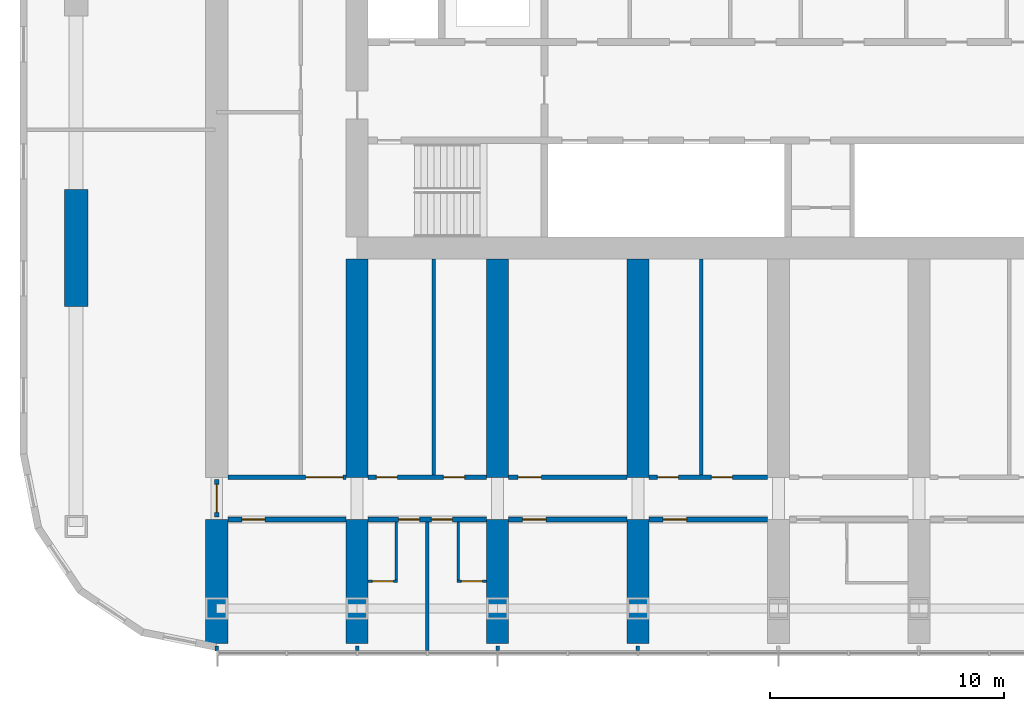
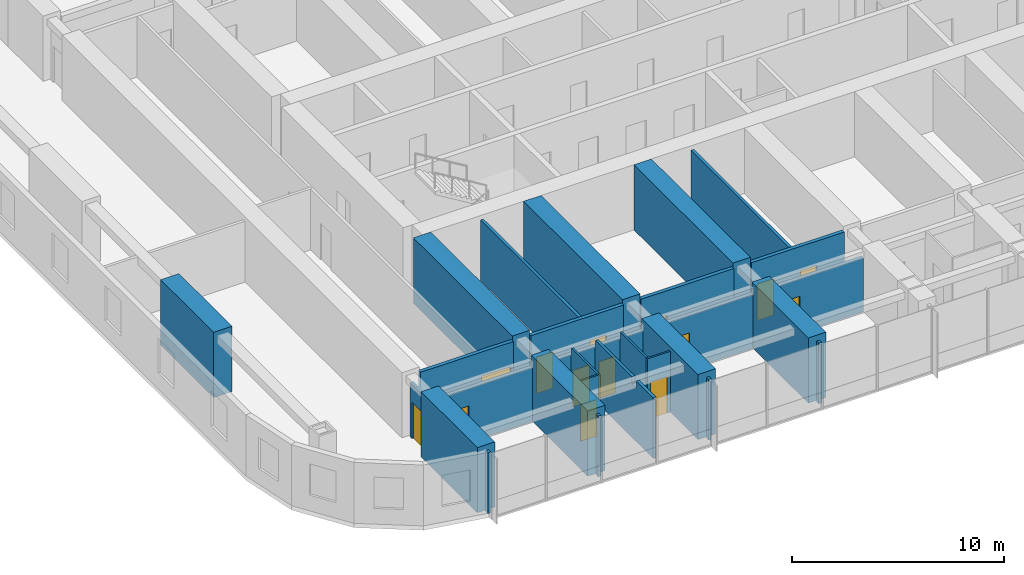
# One storey, part 8 of 21: 28 walls, 14 doors, 14 openings.
"""IFC4 building model written with IfcOpenShell, lengths in metres."""

from ifc_helpers import new_model, si_unit, direction, frame, frame_2d, origin, place, context, subcontext, project, spatial, polyline, rectangle, outline, extrude, material, layer, layer_set, type_object, element, fill, save


model = new_model("IFC4")

# Units and contexts
model_context = context("Model", 3, precision=1e-05, world=origin(), true_north=direction((0.0, 1.0)))
body_context = subcontext(model_context, "Body", "Model", "MODEL_VIEW")
ifc_project = project(units=[si_unit("LENGTHUNIT", "METRE"), si_unit("AREAUNIT", "SQUARE_METRE"), si_unit("VOLUMEUNIT", "CUBIC_METRE"), si_unit("PLANEANGLEUNIT", "RADIAN"), si_unit("MASSUNIT", "GRAM", prefix="KILO")], contexts=[model_context])

# Site, building, storey
site_placement = place(None, origin())
site = spatial("IfcSite", under=ifc_project, at=site_placement, CompositionType="ELEMENT")
building_placement = place(site_placement, origin())
building = spatial("IfcBuilding", under=site, at=building_placement, Name="Orbita Commons", CompositionType="ELEMENT")
storey_placement = place(building_placement, frame((0.0, 0.0, 125.64990234375)))
storey = spatial("IfcBuildingStorey", under=building, at=storey_placement, Name="L31", CompositionType="ELEMENT", Elevation=125.64990234375)

# Wall, opening, door
ifc_material_1 = material(Name="Concrete blockwork", Category="masonry")
ifc_layer_1 = layer(ifc_material_1, 0.199951171875)
ifc_layer_set_1 = layer_set([ifc_layer_1], Name="Concrete blockwork")
wall_type_1 = type_object("IfcWallType", Name="Corridor wall 200 blockwork", PredefinedType="SOLIDWALL", material=ifc_layer_set_1)
wall_1_placement = place(storey_placement, frame((12.47509765625, 14.199951171875, 0.0), z_axis=(0.0, 0.0, 1.0), x_axis=(1.0, 0.0, 0.0)))
wall_1 = element("IfcWall", 1, at=wall_1_placement, inside=storey, type_object=wall_type_1, Name="Corridor wall 200 blockwork L31", PredefinedType="SOLIDWALL", context=body_context, shape_type="SweptSolid", body=[
    extrude(outline(polyline([(0.0, 0.0), (5.0498046875, 0.0), (5.050048828125, 3.10009765625), (0.0, 3.10009765625), (0.0, 0.0)])), frame((0.0, 0.10009765625, 0.0), z_axis=(0.0, -1.0, 0.0), x_axis=(1.0, 0.0, 0.0)), (0.0, 0.0, 1.0), 0.199951171875),
])
opening_1_placement = place(wall_1_placement, frame((0.60009765625, 0.0, 0.0)))
opening_1 = element("IfcOpeningElement", 2, at=opening_1_placement, cuts=wall_1, Name="Opening D06", PredefinedType="OPENING", context=body_context, shape_type="SweptSolid", body=[
    extrude(rectangle(XDim=1.0, YDim=2.10009765625, at=frame_2d((0.5, 1.050048828125))), frame((0.0, 0.10986328125, 0.0), z_axis=(0.0, -1.0, 0.0), x_axis=(1.0, 0.0, 0.0)), (0.0, 0.0, 1.0), 0.219970703125),
])
ifc_material_2 = material(Name="Steel-faced fire door leaf", Category="steel")
door_type_1 = type_object("IfcDoorType", Name="Corridor door 20 min 1000x2100", OperationType="SINGLE_SWING_LEFT", PredefinedType="DOOR", material=ifc_material_2)
door_1_placement = place(opening_1_placement, origin())
door_1 = element("IfcDoor", 3, at=door_1_placement, inside=storey, type_object=door_type_1, Name="Mountain-view lounge L31-S00 door", OperationType="SINGLE_SWING_LEFT", OverallHeight=2.10009765625, OverallWidth=1.0, PredefinedType="DOOR", context=body_context, shape_type="SweptSolid", body=[
    extrude(rectangle(XDim=1.0, YDim=2.10009765625, at=frame_2d((0.5, 1.050048828125))), frame((0.0, 0.02490234375, 0.0), z_axis=(0.0, -1.0, 0.0), x_axis=(1.0, 0.0, 0.0)), (0.0, 0.0, 1.0), 0.050048828125),
])
fill(opening_1, door_1)

# Wall, openings, doors
wall_2_placement = place(storey_placement, frame((18.47509765625, 14.199951171875, 0.0), z_axis=(0.0, 0.0, 1.0), x_axis=(1.0, 0.0, 0.0)))
wall_2 = element("IfcWall", 4, at=wall_2_placement, inside=storey, type_object=wall_type_1, Name="Corridor wall 200 blockwork L31", PredefinedType="SOLIDWALL", context=body_context, shape_type="SweptSolid", body=[
    extrude(outline(polyline([(0.0, 0.0), (5.0498046875, 0.0), (5.050048828125, 3.10009765625), (0.0, 3.10009765625), (0.0, 0.0)])), frame((0.0, 0.10009765625, 0.0), z_axis=(0.0, -1.0, 0.0), x_axis=(1.0, 0.0, 0.0)), (0.0, 0.0, 1.0), 0.199951171875),
])
opening_2_placement = place(wall_2_placement, frame((1.300048828125, 0.0, 0.0)))
opening_2 = element("IfcOpeningElement", 5, at=opening_2_placement, cuts=wall_2, Name="Opening D11", PredefinedType="OPENING", context=body_context, shape_type="SweptSolid", body=[
    extrude(rectangle(XDim=0.89990234375, YDim=2.10009765625, at=frame_2d((0.449951171875, 1.050048828125))), frame((0.0, 0.10986328125, 0.0), z_axis=(0.0, -1.0, 0.0), x_axis=(1.0, 0.0, 0.0)), (0.0, 0.0, 1.0), 0.219970703125),
])
opening_3_placement = place(wall_2_placement, frame((2.699951171875, 0.0, 0.0)))
opening_3 = element("IfcOpeningElement", 6, at=opening_3_placement, cuts=wall_2, Name="Opening D11", PredefinedType="OPENING", context=body_context, shape_type="SweptSolid", body=[
    extrude(rectangle(XDim=0.89990234375, YDim=2.10009765625, at=frame_2d((0.449951171875, 1.050048828125))), frame((0.0, 0.10986328125, 0.0), z_axis=(0.0, -1.0, 0.0), x_axis=(1.0, 0.0, 0.0)), (0.0, 0.0, 1.0), 0.219970703125),
])
ifc_material_3 = material(Name="Steel-faced fire door leaf", Category="steel")
door_type_2 = type_object("IfcDoorType", Name="Corridor door 20 min 900x2100", OperationType="SINGLE_SWING_LEFT", PredefinedType="DOOR", material=ifc_material_3)
door_2_placement = place(opening_2_placement, origin())
door_2 = element("IfcDoor", 7, at=door_2_placement, inside=storey, type_object=door_type_2, Name="Cluster bedroom L31-S02 door", OperationType="SINGLE_SWING_LEFT", OverallHeight=2.10009765625, OverallWidth=0.89990234375, PredefinedType="DOOR", context=body_context, shape_type="SweptSolid", body=[
    extrude(rectangle(XDim=0.89990234375, YDim=2.10009765625, at=frame_2d((0.449951171875, 1.050048828125))), frame((0.0, 0.02490234375, 0.0), z_axis=(0.0, -1.0, 0.0), x_axis=(1.0, 0.0, 0.0)), (0.0, 0.0, 1.0), 0.050048828125),
])
fill(opening_2, door_2)
door_3_placement = place(opening_3_placement, origin())
door_3 = element("IfcDoor", 8, at=door_3_placement, inside=storey, type_object=door_type_2, Name="Cluster bedroom L31-S03 door", OperationType="SINGLE_SWING_LEFT", OverallHeight=2.10009765625, OverallWidth=0.89990234375, PredefinedType="DOOR", context=body_context, shape_type="SweptSolid", body=[
    extrude(rectangle(XDim=0.89990234375, YDim=2.10009765625, at=frame_2d((0.449951171875, 1.050048828125))), frame((0.0, 0.02490234375, 0.0), z_axis=(0.0, -1.0, 0.0), x_axis=(1.0, 0.0, 0.0)), (0.0, 0.0, 1.0), 0.050048828125),
])
fill(opening_3, door_3)

# Wall, opening, door
wall_3_placement = place(storey_placement, frame((24.47509765625, 14.199951171875, 0.0), z_axis=(0.0, 0.0, 1.0), x_axis=(1.0, 0.0, 0.0)))
wall_3 = element("IfcWall", 9, at=wall_3_placement, inside=storey, type_object=wall_type_1, Name="Corridor wall 200 blockwork L31", PredefinedType="SOLIDWALL", context=body_context, shape_type="SweptSolid", body=[
    extrude(outline(polyline([(0.0, 0.0), (5.0498046875, 0.0), (5.050048828125, 3.10009765625), (0.0, 3.10009765625), (0.0, 0.0)])), frame((0.0, 0.10009765625, 0.0), z_axis=(0.0, -1.0, 0.0), x_axis=(1.0, 0.0, 0.0)), (0.0, 0.0, 1.0), 0.199951171875),
])
opening_4_placement = place(wall_3_placement, frame((0.60009765625, 0.0, 0.0)))
opening_4 = element("IfcOpeningElement", 10, at=opening_4_placement, cuts=wall_3, Name="Opening D06", PredefinedType="OPENING", context=body_context, shape_type="SweptSolid", body=[
    extrude(rectangle(XDim=1.0, YDim=2.10009765625, at=frame_2d((0.5, 1.050048828125))), frame((0.0, 0.10986328125, 0.0), z_axis=(0.0, -1.0, 0.0), x_axis=(1.0, 0.0, 0.0)), (0.0, 0.0, 1.0), 0.219970703125),
])
door_4_placement = place(opening_4_placement, origin())
door_4 = element("IfcDoor", 11, at=door_4_placement, inside=storey, type_object=door_type_1, Name="Mountain-view lounge L31-S04 door", OperationType="SINGLE_SWING_LEFT", OverallHeight=2.10009765625, OverallWidth=1.0, PredefinedType="DOOR", context=body_context, shape_type="SweptSolid", body=[
    extrude(rectangle(XDim=1.0, YDim=2.10009765625, at=frame_2d((0.5, 1.050048828125))), frame((0.0, 0.02490234375, 0.0), z_axis=(0.0, -1.0, 0.0), x_axis=(1.0, 0.0, 0.0)), (0.0, 0.0, 1.0), 0.050048828125),
])
fill(opening_4, door_4)

wall_4_placement = place(storey_placement, frame((30.47509765625, 14.199951171875, 0.0), z_axis=(0.0, 0.0, 1.0), x_axis=(1.0, 0.0, 0.0)))
wall_4 = element("IfcWall", 12, at=wall_4_placement, inside=storey, type_object=wall_type_1, Name="Corridor wall 200 blockwork L31", PredefinedType="SOLIDWALL", context=body_context, shape_type="SweptSolid", body=[
    extrude(outline(polyline([(0.0, 0.0), (5.0498046875, 0.0), (5.050048828125, 3.10009765625), (0.0, 3.10009765625), (0.0, 0.0)])), frame((0.0, 0.10009765625, 0.0), z_axis=(0.0, -1.0, 0.0), x_axis=(1.0, 0.0, 0.0)), (0.0, 0.0, 1.0), 0.199951171875),
])
opening_5_placement = place(wall_4_placement, frame((0.60009765625, 0.0, 0.0)))
opening_5 = element("IfcOpeningElement", 13, at=opening_5_placement, cuts=wall_4, Name="Opening D06", PredefinedType="OPENING", context=body_context, shape_type="SweptSolid", body=[
    extrude(rectangle(XDim=1.0, YDim=2.10009765625, at=frame_2d((0.5, 1.050048828125))), frame((0.0, 0.10986328125, 0.0), z_axis=(0.0, -1.0, 0.0), x_axis=(1.0, 0.0, 0.0)), (0.0, 0.0, 1.0), 0.219970703125),
])
door_5_placement = place(opening_5_placement, origin())
door_5 = element("IfcDoor", 14, at=door_5_placement, inside=storey, type_object=door_type_1, Name="Mountain-view lounge L31-S06 door", OperationType="SINGLE_SWING_LEFT", OverallHeight=2.10009765625, OverallWidth=1.0, PredefinedType="DOOR", context=body_context, shape_type="SweptSolid", body=[
    extrude(rectangle(XDim=1.0, YDim=2.10009765625, at=frame_2d((0.5, 1.050048828125))), frame((0.0, 0.02490234375, 0.0), z_axis=(0.0, -1.0, 0.0), x_axis=(1.0, 0.0, 0.0)), (0.0, 0.0, 1.0), 0.050048828125),
])
fill(opening_5, door_5)

wall_5_placement = place(storey_placement, frame((12.0, 14.300048828125, 0.0), z_axis=(0.0, 0.0, 1.0), x_axis=(0.0, 1.0, 0.0)))
wall_5 = element("IfcWall", 15, at=wall_5_placement, inside=storey, type_object=wall_type_1, Name="Corridor wall 200 blockwork L31", PredefinedType="SOLIDWALL", context=body_context, shape_type="SweptSolid", body=[
    extrude(outline(polyline([(0.0, 0.0), (1.599853515625, 0.0), (1.60009765625, 3.10009765625), (0.0, 3.10009765625), (0.0, 0.0)])), frame((0.0, 0.10009765625, 0.0), z_axis=(0.0, -1.0, 0.0), x_axis=(1.0, 0.0, 0.0)), (0.0, 0.0, 1.0), 0.199951171875),
])
opening_6_placement = place(wall_5_placement, frame((0.199951171875, 0.0, 0.0)))
opening_6 = element("IfcOpeningElement", 16, at=opening_6_placement, cuts=wall_5, Name="Opening D12", PredefinedType="OPENING", context=body_context, shape_type="SweptSolid", body=[
    extrude(rectangle(XDim=1.199951171875, YDim=2.10009765625, at=frame_2d((0.60009765625, 1.050048828125))), frame((0.0, 0.10986328125, 0.0), z_axis=(0.0, -1.0, 0.0), x_axis=(1.0, 0.0, 0.0)), (0.0, 0.0, 1.0), 0.219970703125),
])
ifc_material_4 = material(Name="Steel-faced fire door leaf", Category="steel")
door_type_3 = type_object("IfcDoorType", Name="Double corridor door 20 min 1200x2100", OperationType="DOUBLE_DOOR_SINGLE_SWING", PredefinedType="DOOR", material=ifc_material_4)
door_6_placement = place(opening_6_placement, origin())
door_6 = element("IfcDoor", 17, at=door_6_placement, inside=storey, type_object=door_type_3, Name="Lounge doors", OperationType="DOUBLE_DOOR_SINGLE_SWING", OverallHeight=2.10009765625, OverallWidth=1.199951171875, PredefinedType="DOOR", context=body_context, shape_type="SweptSolid", body=[
    extrude(rectangle(XDim=1.199951171875, YDim=2.10009765625, at=frame_2d((0.60009765625, 1.050048828125))), frame((0.0, 0.02490234375, 0.0), z_axis=(0.0, -1.0, 0.0), x_axis=(1.0, 0.0, 0.0)), (0.0, 0.0, 1.0), 0.050048828125),
])
fill(opening_6, door_6)

ifc_material_5 = material(Name="Hollow concrete block 200", Category="concrete")
ifc_layer_2 = layer(ifc_material_5, 0.199951171875)
ifc_layer_set_2 = layer_set([ifc_layer_2], Name="Hollow concrete block 200")
wall_type_2 = type_object("IfcWallType", Name="Corridor wall 200 hollow concrete block", PredefinedType="SOLIDWALL", material=ifc_layer_set_2)
wall_6_placement = place(storey_placement, frame((12.47509765625, 16.0, 0.0), z_axis=(0.0, 0.0, 1.0), x_axis=(1.0, 0.0, 0.0)))
wall_6 = element("IfcWall", 18, at=wall_6_placement, inside=storey, type_object=wall_type_2, Name="Corridor wall 200 hollow concrete block L31", PredefinedType="SOLIDWALL", context=body_context, shape_type="SweptSolid", body=[
    extrude(rectangle(XDim=5.0498046875, YDim=0.199951171875, at=frame_2d((2.52490234375, 0.0))), origin(), (0.0, 0.0, 1.0), 3.5),
])
opening_7_placement = place(wall_6_placement, frame((3.324951171875, 0.0, 0.0)))
opening_7 = element("IfcOpeningElement", 19, at=opening_7_placement, cuts=wall_6, Name="Opening D10", PredefinedType="OPENING", context=body_context, shape_type="SweptSolid", body=[
    extrude(rectangle(XDim=1.60009765625, YDim=2.10009765625, at=frame_2d((0.800048828125, 1.050048828125))), frame((0.0, 0.10986328125, 0.0), z_axis=(0.0, -1.0, 0.0), x_axis=(1.0, 0.0, 0.0)), (0.0, 0.0, 1.0), 0.219970703125),
])
ifc_material_6 = material(Name="Steel-faced fire door leaf", Category="steel")
door_type_4 = type_object("IfcDoorType", Name="Double corridor door 20 min 1600x2100", OperationType="DOUBLE_DOOR_SINGLE_SWING", PredefinedType="DOOR", material=ifc_material_6)
door_7_placement = place(opening_7_placement, origin())
door_7 = element("IfcDoor", 20, at=door_7_placement, inside=storey, type_object=door_type_4, Name="Cross corridor doors", OperationType="DOUBLE_DOOR_SINGLE_SWING", OverallHeight=2.10009765625, OverallWidth=1.60009765625, PredefinedType="DOOR", context=body_context, shape_type="SweptSolid", body=[
    extrude(rectangle(XDim=1.60009765625, YDim=2.10009765625, at=frame_2d((0.800048828125, 1.050048828125))), frame((0.0, 0.02490234375, 0.0), z_axis=(0.0, -1.0, 0.0), x_axis=(1.0, 0.0, 0.0)), (0.0, 0.0, 1.0), 0.050048828125),
])
fill(opening_7, door_7)

# Wall, openings, doors
wall_7_placement = place(storey_placement, frame((18.47509765625, 16.0, 0.0), z_axis=(0.0, 0.0, 1.0), x_axis=(1.0, 0.0, 0.0)))
wall_7 = element("IfcWall", 21, at=wall_7_placement, inside=storey, type_object=wall_type_2, Name="Corridor wall 200 hollow concrete block L31", PredefinedType="SOLIDWALL", context=body_context, shape_type="SweptSolid", body=[
    extrude(rectangle(XDim=5.0498046875, YDim=0.199951171875, at=frame_2d((2.52490234375, 0.0))), origin(), (0.0, 0.0, 1.0), 3.5),
])
opening_8_placement = place(wall_7_placement, frame((0.35009765625, 0.0, 0.0)))
opening_8 = element("IfcOpeningElement", 22, at=opening_8_placement, cuts=wall_7, Name="Opening D11", PredefinedType="OPENING", context=body_context, shape_type="SweptSolid", body=[
    extrude(rectangle(XDim=0.89990234375, YDim=2.10009765625, at=frame_2d((0.449951171875, 1.050048828125))), frame((0.0, 0.10986328125, 0.0), z_axis=(0.0, -1.0, 0.0), x_axis=(1.0, 0.0, 0.0)), (0.0, 0.0, 1.0), 0.219970703125),
])
opening_9_placement = place(wall_7_placement, frame((3.215087890625, 0.0, 0.0)))
opening_9 = element("IfcOpeningElement", 23, at=opening_9_placement, cuts=wall_7, Name="Opening D11", PredefinedType="OPENING", context=body_context, shape_type="SweptSolid", body=[
    extrude(rectangle(XDim=0.89990234375, YDim=2.10009765625, at=frame_2d((0.449951171875, 1.050048828125))), frame((0.0, 0.10986328125, 0.0), z_axis=(0.0, -1.0, 0.0), x_axis=(1.0, 0.0, 0.0)), (0.0, 0.0, 1.0), 0.219970703125),
])
door_8_placement = place(opening_8_placement, origin())
door_8 = element("IfcDoor", 24, at=door_8_placement, inside=storey, type_object=door_type_2, Name="Quiet room L31-BDS18 door", OperationType="SINGLE_SWING_LEFT", OverallHeight=2.10009765625, OverallWidth=0.89990234375, PredefinedType="DOOR", context=body_context, shape_type="SweptSolid", body=[
    extrude(rectangle(XDim=0.89990234375, YDim=2.10009765625, at=frame_2d((0.449951171875, 1.050048828125))), frame((0.0, 0.02490234375, 0.0), z_axis=(0.0, -1.0, 0.0), x_axis=(1.0, 0.0, 0.0)), (0.0, 0.0, 1.0), 0.050048828125),
])
fill(opening_8, door_8)
door_9_placement = place(opening_9_placement, origin())
door_9 = element("IfcDoor", 25, at=door_9_placement, inside=storey, type_object=door_type_2, Name="Accessible WC and shower room L31-BDS18n door", OperationType="SINGLE_SWING_LEFT", OverallHeight=2.10009765625, OverallWidth=0.89990234375, PredefinedType="DOOR", context=body_context, shape_type="SweptSolid", body=[
    extrude(rectangle(XDim=0.89990234375, YDim=2.10009765625, at=frame_2d((0.449951171875, 1.050048828125))), frame((0.0, 0.02490234375, 0.0), z_axis=(0.0, -1.0, 0.0), x_axis=(1.0, 0.0, 0.0)), (0.0, 0.0, 1.0), 0.050048828125),
])
fill(opening_9, door_9)

# Wall, opening, door
wall_8_placement = place(storey_placement, frame((24.47509765625, 16.0, 0.0), z_axis=(0.0, 0.0, 1.0), x_axis=(1.0, 0.0, 0.0)))
wall_8 = element("IfcWall", 26, at=wall_8_placement, inside=storey, type_object=wall_type_2, Name="Corridor wall 200 hollow concrete block L31", PredefinedType="SOLIDWALL", context=body_context, shape_type="SweptSolid", body=[
    extrude(rectangle(XDim=5.0498046875, YDim=0.199951171875, at=frame_2d((2.52490234375, 0.0))), origin(), (0.0, 0.0, 1.0), 3.5),
])
opening_10_placement = place(wall_8_placement, frame((0.39990234375, 0.0, 0.0)))
opening_10 = element("IfcOpeningElement", 27, at=opening_10_placement, cuts=wall_8, Name="Opening D06", PredefinedType="OPENING", context=body_context, shape_type="SweptSolid", body=[
    extrude(rectangle(XDim=1.0, YDim=2.10009765625, at=frame_2d((0.5, 1.050048828125))), frame((0.0, 0.10986328125, 0.0), z_axis=(0.0, -1.0, 0.0), x_axis=(1.0, 0.0, 0.0)), (0.0, 0.0, 1.0), 0.219970703125),
])
door_10_placement = place(opening_10_placement, origin())
door_10 = element("IfcDoor", 28, at=door_10_placement, inside=storey, type_object=door_type_1, Name="Storage lockers L31-BDS24 door", OperationType="SINGLE_SWING_LEFT", OverallHeight=2.10009765625, OverallWidth=1.0, PredefinedType="DOOR", context=body_context, shape_type="SweptSolid", body=[
    extrude(rectangle(XDim=1.0, YDim=2.10009765625, at=frame_2d((0.5, 1.050048828125))), frame((0.0, 0.02490234375, 0.0), z_axis=(0.0, -1.0, 0.0), x_axis=(1.0, 0.0, 0.0)), (0.0, 0.0, 1.0), 0.050048828125),
])
fill(opening_10, door_10)

# Wall, openings, doors
wall_9_placement = place(storey_placement, frame((30.47509765625, 16.0, 0.0), z_axis=(0.0, 0.0, 1.0), x_axis=(1.0, 0.0, 0.0)))
wall_9 = element("IfcWall", 29, at=wall_9_placement, inside=storey, type_object=wall_type_2, Name="Corridor wall 200 hollow concrete block L31", PredefinedType="SOLIDWALL", context=body_context, shape_type="SweptSolid", body=[
    extrude(rectangle(XDim=5.0498046875, YDim=0.199951171875, at=frame_2d((2.52490234375, 0.0))), origin(), (0.0, 0.0, 1.0), 3.5),
])
opening_11_placement = place(wall_9_placement, frame((0.35009765625, 0.0, 0.0)))
opening_11 = element("IfcOpeningElement", 30, at=opening_11_placement, cuts=wall_9, Name="Opening D11", PredefinedType="OPENING", context=body_context, shape_type="SweptSolid", body=[
    extrude(rectangle(XDim=0.89990234375, YDim=2.10009765625, at=frame_2d((0.449951171875, 1.050048828125))), frame((0.0, 0.10986328125, 0.0), z_axis=(0.0, -1.0, 0.0), x_axis=(1.0, 0.0, 0.0)), (0.0, 0.0, 1.0), 0.219970703125),
])
opening_12_placement = place(wall_9_placement, frame((2.655029296875, 0.0, 0.0)))
opening_12 = element("IfcOpeningElement", 31, at=opening_12_placement, cuts=wall_9, Name="Opening D11", PredefinedType="OPENING", context=body_context, shape_type="SweptSolid", body=[
    extrude(rectangle(XDim=0.89990234375, YDim=2.10009765625, at=frame_2d((0.449951171875, 1.050048828125))), frame((0.0, 0.10986328125, 0.0), z_axis=(0.0, -1.0, 0.0), x_axis=(1.0, 0.0, 0.0)), (0.0, 0.0, 1.0), 0.219970703125),
])
door_11_placement = place(opening_11_placement, origin())
door_11 = element("IfcDoor", 32, at=door_11_placement, inside=storey, type_object=door_type_2, Name="Sprinkler valve room L31-BDS30n door", OperationType="SINGLE_SWING_LEFT", OverallHeight=2.10009765625, OverallWidth=0.89990234375, PredefinedType="DOOR", context=body_context, shape_type="SweptSolid", body=[
    extrude(rectangle(XDim=0.89990234375, YDim=2.10009765625, at=frame_2d((0.449951171875, 1.050048828125))), frame((0.0, 0.02490234375, 0.0), z_axis=(0.0, -1.0, 0.0), x_axis=(1.0, 0.0, 0.0)), (0.0, 0.0, 1.0), 0.050048828125),
])
fill(opening_11, door_11)
door_12_placement = place(opening_12_placement, origin())
door_12 = element("IfcDoor", 33, at=door_12_placement, inside=storey, type_object=door_type_2, Name="Bicycle repair workshop L31-BDS30 door", OperationType="SINGLE_SWING_LEFT", OverallHeight=2.10009765625, OverallWidth=0.89990234375, PredefinedType="DOOR", context=body_context, shape_type="SweptSolid", body=[
    extrude(rectangle(XDim=0.89990234375, YDim=2.10009765625, at=frame_2d((0.449951171875, 1.050048828125))), frame((0.0, 0.02490234375, 0.0), z_axis=(0.0, -1.0, 0.0), x_axis=(1.0, 0.0, 0.0)), (0.0, 0.0, 1.0), 0.050048828125),
])
fill(opening_12, door_12)

# Walls
ifc_material_7 = material(Name="Concrete C50/60", Category="concrete")
ifc_layer_3 = layer(ifc_material_7, 0.949951171875)
ifc_layer_set_3 = layer_set([ifc_layer_3], Name="Concrete C50/60")
wall_type_3 = type_object("IfcWallType", Name="Cross wall 950 C50/60", PredefinedType="SHEAR", material=ifc_layer_set_3)
for number, where, z_axis, x_axis, name in (
    (34, (12.0, 8.89990234375, 0.0), (0.0, 0.0, 1.0), (0.0, 1.0, 0.0), "Cross wall 3 south outer L31"),
    (35, (18.0, 8.89990234375, 0.0), (0.0, 0.0, 1.0), (0.0, 1.0, 0.0), "Cross wall 4 south outer L31"),
):
    element("IfcWall", number, at=place(storey_placement, frame(where, z_axis=z_axis, x_axis=x_axis)), inside=storey, type_object=wall_type_3, Name=name, PredefinedType="SHEAR", context=body_context, shape_type="SweptSolid", body=[
        extrude(rectangle(XDim=5.300048828125, YDim=0.949951171875, at=frame_2d((2.64990234375, 0.0))), origin(), (0.0, 0.0, 1.0), 3.75),
    ])
wall_10_placement = place(storey_placement, frame((18.0, 16.0, 0.0), z_axis=(0.0, 0.0, 1.0), x_axis=(0.0, 1.0, 0.0)))
element("IfcWall", 36, at=wall_10_placement, inside=storey, type_object=wall_type_3, Name="Cross wall 4 south inner L31", PredefinedType="SHEAR", context=body_context, shape_type="SweptSolid", body=[
    extrude(rectangle(XDim=9.324951171875, YDim=0.949951171875, at=frame_2d((4.66259765625, 0.0))), origin(), (0.0, 0.0, 1.0), 3.75),
])
wall_11_placement = place(storey_placement, frame((24.0, 8.89990234375, 0.0), z_axis=(0.0, 0.0, 1.0), x_axis=(0.0, 1.0, 0.0)))
element("IfcWall", 37, at=wall_11_placement, inside=storey, type_object=wall_type_3, Name="Cross wall 5 south outer L31", PredefinedType="SHEAR", context=body_context, shape_type="SweptSolid", body=[
    extrude(rectangle(XDim=5.300048828125, YDim=0.949951171875, at=frame_2d((2.64990234375, 0.0))), origin(), (0.0, 0.0, 1.0), 3.75),
])
wall_12_placement = place(storey_placement, frame((24.0, 16.0, 0.0), z_axis=(0.0, 0.0, 1.0), x_axis=(0.0, 1.0, 0.0)))
element("IfcWall", 38, at=wall_12_placement, inside=storey, type_object=wall_type_3, Name="Cross wall 5 south inner L31", PredefinedType="SHEAR", context=body_context, shape_type="SweptSolid", body=[
    extrude(rectangle(XDim=9.324951171875, YDim=0.949951171875, at=frame_2d((4.66259765625, 0.0))), origin(), (0.0, 0.0, 1.0), 3.75),
])
wall_13_placement = place(storey_placement, frame((30.0, 8.89990234375, 0.0), z_axis=(0.0, 0.0, 1.0), x_axis=(0.0, 1.0, 0.0)))
element("IfcWall", 39, at=wall_13_placement, inside=storey, type_object=wall_type_3, Name="Cross wall 6 south outer L31", PredefinedType="SHEAR", context=body_context, shape_type="SweptSolid", body=[
    extrude(rectangle(XDim=5.300048828125, YDim=0.949951171875, at=frame_2d((2.64990234375, 0.0))), origin(), (0.0, 0.0, 1.0), 3.75),
])
wall_14_placement = place(storey_placement, frame((30.0, 16.0, 0.0), z_axis=(0.0, 0.0, 1.0), x_axis=(0.0, 1.0, 0.0)))
element("IfcWall", 40, at=wall_14_placement, inside=storey, type_object=wall_type_3, Name="Cross wall 6 south inner L31", PredefinedType="SHEAR", context=body_context, shape_type="SweptSolid", body=[
    extrude(rectangle(XDim=9.324951171875, YDim=0.949951171875, at=frame_2d((4.66259765625, 0.0))), origin(), (0.0, 0.0, 1.0), 3.75),
])

# Wall, opening, door
ifc_material_8 = material(Name="Moisture-resistant plasterboard on steel studs", Category="steel")
ifc_layer_4 = layer(ifc_material_8, 0.10009765625)
ifc_layer_set_4 = layer_set([ifc_layer_4], Name="Moisture-resistant plasterboard on steel studs")
wall_type_4 = type_object("IfcWallType", Name="En-suite partition 100", PredefinedType="PARTITIONING", material=ifc_layer_set_4)
wall_15_placement = place(storey_placement, frame((19.72509765625, 11.558349609375, 0.0), z_axis=(0.0, 0.0, 1.0), x_axis=(-1.0, 0.0, 0.0)))
wall_15 = element("IfcWall", 41, at=wall_15_placement, inside=storey, type_object=wall_type_4, Name="En-suite partition 100 L31", PredefinedType="PARTITIONING", context=body_context, shape_type="SweptSolid", body=[
    extrude(rectangle(XDim=1.25, YDim=0.10009765625, at=frame_2d((0.625, 0.0))), origin(), (0.0, 0.0, 1.0), 3.5),
])
opening_13_placement = place(wall_15_placement, frame((0.175048828125, 0.0, 0.0)))
opening_13 = element("IfcOpeningElement", 42, at=opening_13_placement, cuts=wall_15, Name="Opening D09", PredefinedType="OPENING", context=body_context, shape_type="SweptSolid", body=[
    extrude(rectangle(XDim=0.89990234375, YDim=2.10009765625, at=frame_2d((0.449951171875, 1.050048828125))), frame((0.0, 0.06005859375, 0.0), z_axis=(0.0, -1.0, 0.0), x_axis=(1.0, 0.0, 0.0)), (0.0, 0.0, 1.0), 0.1201171875),
])
ifc_material_9 = material(Name="Laminated timber door leaf", Category="wood")
door_type_5 = type_object("IfcDoorType", Name="En-suite door 900x2100", OperationType="SINGLE_SWING_RIGHT", PredefinedType="DOOR", material=ifc_material_9)
door_13_placement = place(opening_13_placement, origin())
door_13 = element("IfcDoor", 43, at=door_13_placement, inside=storey, type_object=door_type_5, Name="En-suite L31-S02 door", OperationType="SINGLE_SWING_RIGHT", OverallHeight=2.10009765625, OverallWidth=0.89990234375, PredefinedType="DOOR", context=body_context, shape_type="SweptSolid", body=[
    extrude(rectangle(XDim=0.89990234375, YDim=2.10009765625, at=frame_2d((0.449951171875, 1.050048828125))), frame((0.0, 0.02490234375, 0.0), z_axis=(0.0, -1.0, 0.0), x_axis=(1.0, 0.0, 0.0)), (0.0, 0.0, 1.0), 0.050048828125),
])
fill(opening_13, door_13)

# Wall
wall_16_placement = place(storey_placement, frame((19.675048828125, 11.6083984375, 0.0), z_axis=(0.0, 0.0, 1.0), x_axis=(0.0, 1.0, 0.0)))
element("IfcWall", 44, at=wall_16_placement, inside=storey, type_object=wall_type_4, Name="En-suite partition 100 L31", PredefinedType="PARTITIONING", context=body_context, shape_type="SweptSolid", body=[
    extrude(outline(polyline([(0.0, 0.0), (2.49169921875, 0.0), (2.49169921875, 3.10009765625), (2.443603515625, 3.10009765625), (2.441650390625, 3.5), (0.0, 3.5), (0.0, 0.0)])), frame((0.0, 0.050048828125, 0.0), z_axis=(0.0, -1.0, 0.0), x_axis=(1.0, 0.0, 0.0)), (0.0, 0.0, 1.0), 0.10009765625),
])

# Wall, opening, door
wall_17_placement = place(storey_placement, frame((23.52490234375, 11.558349609375, 0.0), z_axis=(0.0, 0.0, 1.0), x_axis=(-1.0, 0.0, 0.0)))
wall_17 = element("IfcWall", 45, at=wall_17_placement, inside=storey, type_object=wall_type_4, Name="En-suite partition 100 L31", PredefinedType="PARTITIONING", context=body_context, shape_type="SweptSolid", body=[
    extrude(rectangle(XDim=1.25, YDim=0.10009765625, at=frame_2d((0.625, 0.0))), origin(), (0.0, 0.0, 1.0), 3.5),
])
opening_14_placement = place(wall_17_placement, frame((0.175048828125, 0.0, 0.0)))
opening_14 = element("IfcOpeningElement", 46, at=opening_14_placement, cuts=wall_17, Name="Opening D09", PredefinedType="OPENING", context=body_context, shape_type="SweptSolid", body=[
    extrude(rectangle(XDim=0.89990234375, YDim=2.10009765625, at=frame_2d((0.449951171875, 1.050048828125))), frame((0.0, 0.06005859375, 0.0), z_axis=(0.0, -1.0, 0.0), x_axis=(1.0, 0.0, 0.0)), (0.0, 0.0, 1.0), 0.1201171875),
])
door_14_placement = place(opening_14_placement, origin())
door_14 = element("IfcDoor", 47, at=door_14_placement, inside=storey, type_object=door_type_5, Name="En-suite L31-S03 door", OperationType="SINGLE_SWING_RIGHT", OverallHeight=2.10009765625, OverallWidth=0.89990234375, PredefinedType="DOOR", context=body_context, shape_type="SweptSolid", body=[
    extrude(rectangle(XDim=0.89990234375, YDim=2.10009765625, at=frame_2d((0.449951171875, 1.050048828125))), frame((0.0, 0.02490234375, 0.0), z_axis=(0.0, -1.0, 0.0), x_axis=(1.0, 0.0, 0.0)), (0.0, 0.0, 1.0), 0.050048828125),
])
fill(opening_14, door_14)

# Walls
wall_18_placement = place(storey_placement, frame((22.324951171875, 11.6083984375, 0.0), z_axis=(0.0, 0.0, 1.0), x_axis=(0.0, 1.0, 0.0)))
element("IfcWall", 48, at=wall_18_placement, inside=storey, type_object=wall_type_4, Name="En-suite partition 100 L31", PredefinedType="PARTITIONING", context=body_context, shape_type="SweptSolid", body=[
    extrude(outline(polyline([(0.0, 0.0), (2.49169921875, 0.0), (2.49169921875, 3.10009765625), (2.443603515625, 3.10009765625), (2.441650390625, 3.5), (0.0, 3.5), (0.0, 0.0)])), frame((0.0, 0.050048828125, 0.0), z_axis=(0.0, -1.0, 0.0), x_axis=(1.0, 0.0, 0.0)), (0.0, 0.0, 1.0), 0.10009765625),
])
ifc_material_10 = material(Name="Concrete C50/60", Category="concrete")
ifc_layer_5 = layer(ifc_material_10, 1.0)
ifc_layer_set_5 = layer_set([ifc_layer_5], Name="Concrete C50/60")
wall_type_5 = type_object("IfcWallType", Name="End pier 1000x5000 C50/60", PredefinedType="SHEAR", material=ifc_layer_set_5)
wall_19_placement = place(storey_placement, frame((6.0, 23.300048828125, 0.0), z_axis=(0.0, 0.0, 1.0), x_axis=(0.0, 1.0, 0.0)))
element("IfcWall", 49, at=wall_19_placement, inside=storey, type_object=wall_type_5, Name="End pier 2/C L31", PredefinedType="SHEAR", context=body_context, shape_type="SweptSolid", body=[
    extrude(rectangle(XDim=5.0, YDim=1.0, at=frame_2d((2.5, 0.0))), origin(), (0.0, 0.0, 1.0), 3.75),
])
ifc_material_11 = material(Name="Gypsum plasterboard on steel studs", Category="steel")
ifc_layer_6 = layer(ifc_material_11, 0.14990234375)
ifc_layer_set_6 = layer_set([ifc_layer_6], Name="Gypsum plasterboard on steel studs")
wall_type_6 = type_object("IfcWallType", Name="Partition 150 plasterboard", PredefinedType="PARTITIONING", material=ifc_layer_set_6)
for number, where, z_axis, x_axis, name in (
    (50, (21.264892578125, 16.10009765625, 0.0), (0.0, 0.0, 1.0), (0.0, 1.0, 0.0), "Partition 150 plasterboard L31"),
    (51, (32.705078125, 16.10009765625, 0.0), (0.0, 0.0, 1.0), (0.0, 1.0, 0.0), "Partition 150 plasterboard L31"),
):
    element("IfcWall", number, at=place(storey_placement, frame(where, z_axis=z_axis, x_axis=x_axis)), inside=storey, type_object=wall_type_6, Name=name, PredefinedType="PARTITIONING", context=body_context, shape_type="SweptSolid", body=[
        extrude(rectangle(XDim=9.224853515625, YDim=0.14990234375, at=frame_2d((4.6123046875, 0.0))), origin(), (0.0, 0.0, 1.0), 3.5),
    ])
wall_20_placement = place(storey_placement, frame((12.0, 8.800048828125, 0.0), z_axis=(0.0, 0.0, 1.0), x_axis=(0.0, -1.0, 0.0)))
element("IfcWall", 52, at=wall_20_placement, inside=storey, type_object=wall_type_6, Name="Partition 150 plasterboard L31", PredefinedType="PARTITIONING", context=body_context, shape_type="SweptSolid", body=[
    extrude(rectangle(XDim=0.219970703125, YDim=0.14990234375, at=frame_2d((0.10986328125, 0.0))), origin(), (0.0, 0.0, 1.0), 3.5),
])
for number, where, z_axis, x_axis, name in (
    (53, (18.0, 8.800048828125, 0.0), (0.0, 0.0, 1.0), (0.0, -1.0, 0.0), "Partition 150 plasterboard L31"),
    (54, (24.0, 8.800048828125, 0.0), (0.0, 0.0, 1.0), (0.0, -1.0, 0.0), "Partition 150 plasterboard L31"),
    (55, (30.0, 8.800048828125, 0.0), (0.0, 0.0, 1.0), (0.0, -1.0, 0.0), "Partition 150 plasterboard L31"),
):
    element("IfcWall", number, at=place(storey_placement, frame(where, z_axis=z_axis, x_axis=x_axis)), inside=storey, type_object=wall_type_6, Name=name, PredefinedType="PARTITIONING", context=body_context, shape_type="SweptSolid", body=[
        extrude(rectangle(XDim=0.18994140625, YDim=0.14990234375, at=frame_2d((0.094970703125, 0.0))), origin(), (0.0, 0.0, 1.0), 3.5),
    ])
ifc_material_12 = material(Name="Gypsum plasterboard on steel studs", Category="steel")
ifc_layer_7 = layer(ifc_material_12, 0.14990234375)
ifc_layer_set_7 = layer_set([ifc_layer_7], Name="Gypsum plasterboard on steel studs")
wall_type_7 = type_object("IfcWallType", Name="Party wall 150 plasterboard", PredefinedType="PARTITIONING", material=ifc_layer_set_7)
wall_21_placement = place(storey_placement, frame((21.0, 8.610107421875, 0.0), z_axis=(0.0, 0.0, 1.0), x_axis=(0.0, 1.0, 0.0)))
element("IfcWall", 56, at=wall_21_placement, inside=storey, type_object=wall_type_7, Name="Party wall 150 plasterboard L31", PredefinedType="PARTITIONING", context=body_context, shape_type="SweptSolid", body=[
    extrude(outline(polyline([(0.0, 0.0), (5.489990234375, 0.0), (5.489990234375, 3.10009765625), (5.44189453125, 3.10009765625), (5.43994140625, 3.5), (1.991943359375, 3.5), (1.989990234375, 3.10009765625), (1.592041015625, 3.10009765625), (1.590087890625, 3.5), (0.0, 3.5), (0.0, 0.0)])), frame((0.0, 0.074951171875, 0.0), z_axis=(0.0, -1.0, 0.0), x_axis=(1.0, 0.0, 0.0)), (0.0, 0.0, 1.0), 0.14990234375),
])

save(model, "model.ifc")
